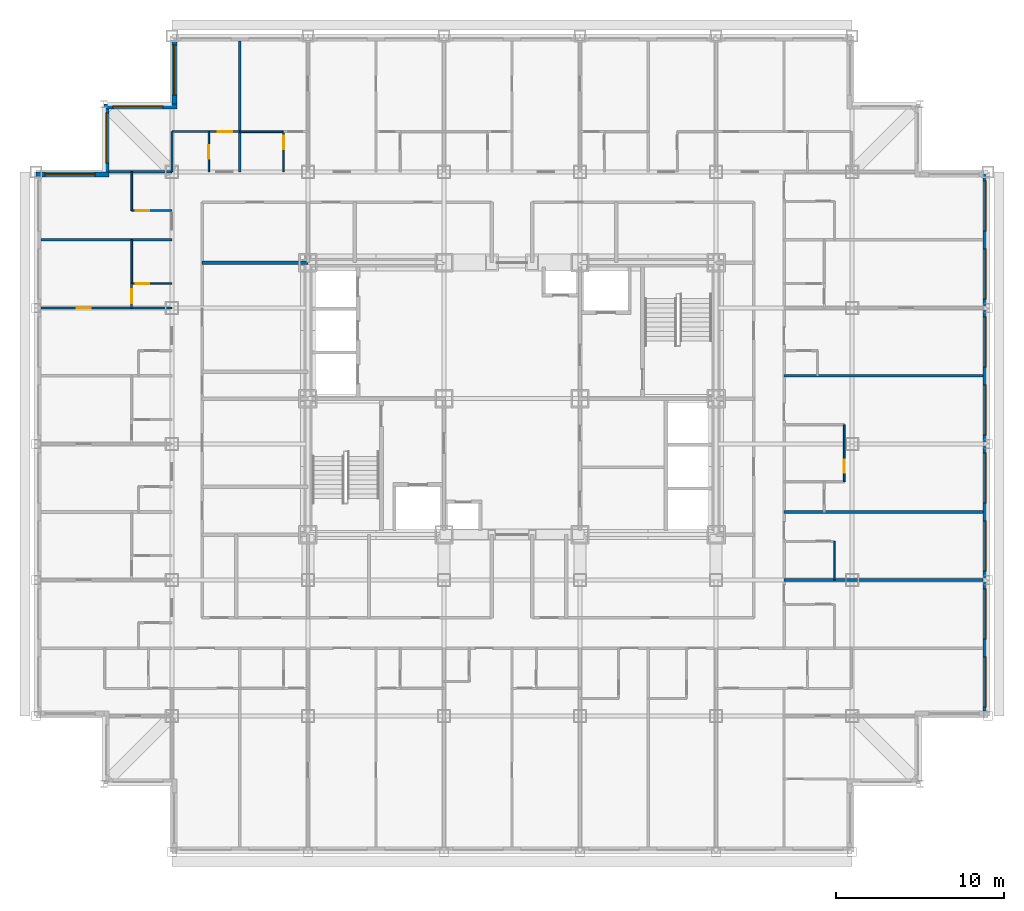
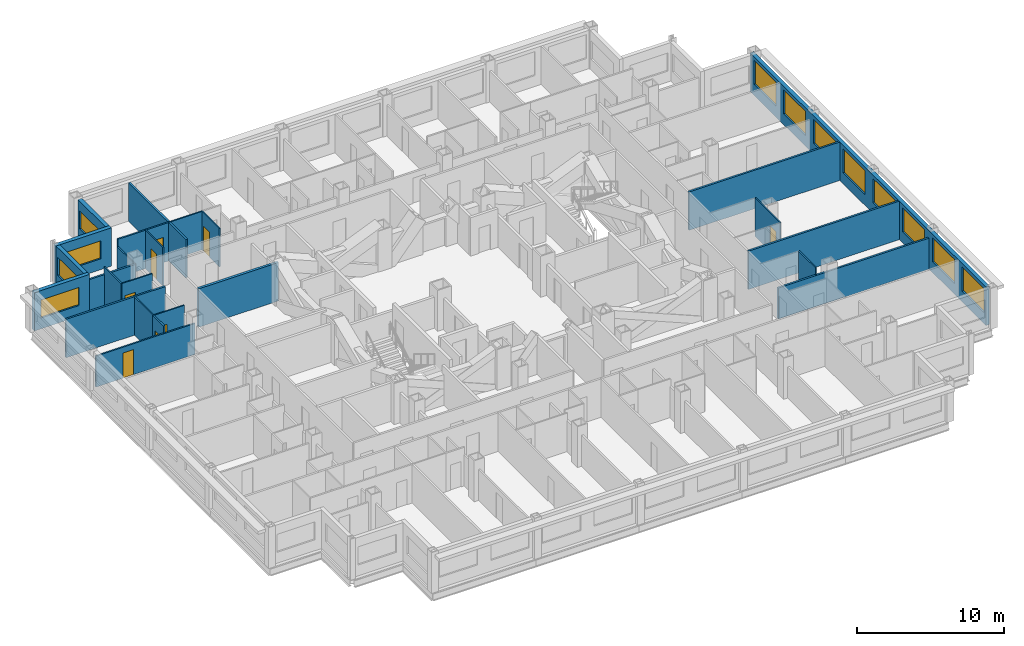
# One storey, part 9 of 13: 25 walls, 12 windows, 8 doors, 20 openings.
"""IFC4 building model written with IfcOpenShell, lengths in metres."""

from ifc_helpers import new_model, si_unit, direction, frame, frame_2d, origin, place, context, subcontext, project, spatial, rectangle, extrude, material, layer, layer_set, type_object, element, fill, save


model = new_model("IFC4")

# Units and contexts
model_context = context("Model", 3, precision=1e-05, world=origin(), true_north=direction((0.0, 1.0)))
body_context = subcontext(model_context, "Body", "Model", "MODEL_VIEW")
ifc_project = project(units=[si_unit("LENGTHUNIT", "METRE"), si_unit("AREAUNIT", "SQUARE_METRE"), si_unit("VOLUMEUNIT", "CUBIC_METRE"), si_unit("PLANEANGLEUNIT", "RADIAN"), si_unit("MASSUNIT", "GRAM", prefix="KILO")], contexts=[model_context])

# Site, building, storey
site_placement = place(None, origin())
site = spatial("IfcSite", under=ifc_project, at=site_placement, CompositionType="ELEMENT")
building_placement = place(site_placement, origin())
building = spatial("IfcBuilding", under=site, at=building_placement, Name="Kopane Lantern Tower", CompositionType="ELEMENT")
storey_placement = place(building_placement, frame((0.0, 0.0, 134.0)))
storey = spatial("IfcBuildingStorey", under=building, at=storey_placement, Name="L34", CompositionType="ELEMENT", Elevation=134.0)

# Wall, opening, door
ifc_material_1 = material(Name="Gypsum board on steel studs", Category="steel")
ifc_layer_1 = layer(ifc_material_1, 0.1201171875)
ifc_layer_set_1 = layer_set([ifc_layer_1], Name="APARTMENT INTERNAL WALL 120")
wall_type_1 = type_object("IfcWallType", Name="APARTMENT INTERNAL WALL 120", PredefinedType="PARTITIONING", material=ifc_layer_set_1)
wall_1_placement = place(storey_placement, frame((8.10009765625, 37.800048828125, 0.0), z_axis=(0.0, 0.0, 1.0), x_axis=(-1.0, 0.0, 0.0)))
wall_1 = element("IfcWall", 1, at=wall_1_placement, inside=storey, type_object=wall_type_1, Name="Apartment Internal Wall 120 L34", PredefinedType="PARTITIONING", context=body_context, shape_type="SweptSolid", body=[
    extrude(rectangle(XDim=7.800048828125, YDim=0.1201171875, at=frame_2d((3.89990234375, 0.0))), origin(), (0.0, 0.0, 1.0), 2.577880859375),
])
opening_1_placement = place(wall_1_placement, frame((4.824951171875, 0.0, 0.0)))
opening_1 = element("IfcOpeningElement", 2, at=opening_1_placement, cuts=wall_1, Name="Opening L34-054", PredefinedType="OPENING", context=body_context, shape_type="SweptSolid", body=[
    extrude(rectangle(XDim=0.85009765625, YDim=2.10009765625, at=frame_2d((0.425048828125, 1.050048828125))), frame((0.0, 0.070068359375, 0.0), z_axis=(0.0, -1.0, 0.0), x_axis=(1.0, 0.0, 0.0)), (0.0, 0.0, 1.0), 0.14013671875),
])
ifc_material_2 = material(Name="Timber door set", Category="wood")
door_type_1 = type_object("IfcDoorType", Name="DOOR D4 850x2100", OperationType="SINGLE_SWING_LEFT", PredefinedType="DOOR", material=ifc_material_2)
door_1_placement = place(opening_1_placement, origin())
door_1 = element("IfcDoor", 3, at=door_1_placement, inside=storey, type_object=door_type_1, Name="Door L34-054", OperationType="SINGLE_SWING_RIGHT", OverallHeight=2.10009765625, OverallWidth=0.85009765625, PredefinedType="DOOR", context=body_context, shape_type="SweptSolid", body=[
    extrude(rectangle(XDim=0.85009765625, YDim=2.10009765625, at=frame_2d((0.425048828125, 1.050048828125))), frame((0.0, 0.02490234375, 0.0), z_axis=(0.0, -1.0, 0.0), x_axis=(1.0, 0.0, 0.0)), (0.0, 0.0, 1.0), 0.050048828125),
])
fill(opening_1, door_1)

wall_2_placement = place(storey_placement, frame((8.10009765625, 48.300048828125, 0.0), z_axis=(0.0, 0.0, 1.0), x_axis=(1.0, 0.0, 0.0)))
wall_2 = element("IfcWall", 4, at=wall_2_placement, inside=storey, type_object=wall_type_1, Name="Apartment Internal Wall 120 L34", PredefinedType="PARTITIONING", context=body_context, shape_type="SweptSolid", body=[
    extrude(rectangle(XDim=4.0498046875, YDim=0.1201171875, at=frame_2d((2.02490234375, 0.0))), origin(), (0.0, 0.0, 1.0), 3.18994140625),
])
opening_2_placement = place(wall_2_placement, frame((2.72509765625, 0.0, 0.0)))
opening_2 = element("IfcOpeningElement", 5, at=opening_2_placement, cuts=wall_2, Name="Opening L34-086", PredefinedType="OPENING", context=body_context, shape_type="SweptSolid", body=[
    extrude(rectangle(XDim=0.85009765625, YDim=2.10009765625, at=frame_2d((0.425048828125, 1.050048828125))), frame((0.0, 0.070068359375, 0.0), z_axis=(0.0, -1.0, 0.0), x_axis=(1.0, 0.0, 0.0)), (0.0, 0.0, 1.0), 0.14013671875),
])
door_2_placement = place(opening_2_placement, origin())
door_2 = element("IfcDoor", 6, at=door_2_placement, inside=storey, type_object=door_type_1, Name="Door L34-086", OperationType="SINGLE_SWING_RIGHT", OverallHeight=2.10009765625, OverallWidth=0.85009765625, PredefinedType="DOOR", context=body_context, shape_type="SweptSolid", body=[
    extrude(rectangle(XDim=0.85009765625, YDim=2.10009765625, at=frame_2d((0.425048828125, 1.050048828125))), frame((0.0, 0.02490234375, 0.0), z_axis=(0.0, -1.0, 0.0), x_axis=(1.0, 0.0, 0.0)), (0.0, 0.0, 1.0), 0.050048828125),
])
fill(opening_2, door_2)

wall_3_placement = place(storey_placement, frame((5.699951171875, 37.800048828125, 0.0), z_axis=(0.0, 0.0, 1.0), x_axis=(0.0, 1.0, 0.0)))
wall_3 = element("IfcWall", 7, at=wall_3_placement, inside=storey, type_object=wall_type_1, Name="Apartment Internal Wall 120 L34", PredefinedType="PARTITIONING", context=body_context, shape_type="SweptSolid", body=[
    extrude(rectangle(XDim=1.4599609375, YDim=0.1201171875, at=frame_2d((0.72998046875, 0.0))), origin(), (0.0, 0.0, 1.0), 3.18994140625),
])
opening_3_placement = place(wall_3_placement, frame((0.27490234375, 0.0, 0.0)))
opening_3 = element("IfcOpeningElement", 8, at=opening_3_placement, cuts=wall_3, Name="Opening L34-096", PredefinedType="OPENING", context=body_context, shape_type="SweptSolid", body=[
    extrude(rectangle(XDim=0.85009765625, YDim=2.10009765625, at=frame_2d((0.425048828125, 1.050048828125))), frame((0.0, 0.070068359375, 0.0), z_axis=(0.0, -1.0, 0.0), x_axis=(1.0, 0.0, 0.0)), (0.0, 0.0, 1.0), 0.14013671875),
])
door_3_placement = place(opening_3_placement, origin())
door_3 = element("IfcDoor", 9, at=door_3_placement, inside=storey, type_object=door_type_1, Name="Door L34-096", OperationType="SINGLE_SWING_LEFT", OverallHeight=2.10009765625, OverallWidth=0.85009765625, PredefinedType="DOOR", context=body_context, shape_type="SweptSolid", body=[
    extrude(rectangle(XDim=0.85009765625, YDim=2.10009765625, at=frame_2d((0.425048828125, 1.050048828125))), frame((0.0, 0.02490234375, 0.0), z_axis=(0.0, -1.0, 0.0), x_axis=(1.0, 0.0, 0.0)), (0.0, 0.0, 1.0), 0.050048828125),
])
fill(opening_3, door_3)

# Wall
ifc_material_3 = material(Name="Moisture-resistant board on steel studs", Category="steel")
ifc_layer_2 = layer(ifc_material_3, 0.10009765625)
ifc_layer_set_2 = layer_set([ifc_layer_2], Name="BATHROOM WALL 100")
wall_type_2 = type_object("IfcWallType", Name="BATHROOM WALL 100", PredefinedType="PARTITIONING", material=ifc_layer_set_2)
wall_4_placement = place(storey_placement, frame((12.14990234375, 48.300048828125, 0.0), z_axis=(0.0, 0.0, 1.0), x_axis=(1.0, 0.0, 0.0)))
element("IfcWall", 10, at=wall_4_placement, inside=storey, type_object=wall_type_2, Name="Bathroom Wall 100 L34", PredefinedType="PARTITIONING", context=body_context, shape_type="SweptSolid", body=[
    extrude(rectangle(XDim=2.60009765625, YDim=0.10009765625, at=frame_2d((1.300048828125, 0.0))), origin(), (0.0, 0.0, 1.0), 3.18994140625),
])

# Wall, opening, door
wall_5_placement = place(storey_placement, frame((14.75, 45.89990234375, 0.0), z_axis=(0.0, 0.0, 1.0), x_axis=(0.0, 1.0, 0.0)))
wall_5 = element("IfcWall", 11, at=wall_5_placement, inside=storey, type_object=wall_type_2, Name="Bathroom Wall 100 L34", PredefinedType="PARTITIONING", context=body_context, shape_type="SweptSolid", body=[
    extrude(rectangle(XDim=2.400146484375, YDim=0.10009765625, at=frame_2d((1.2001953125, 0.0))), origin(), (0.0, 0.0, 1.0), 3.18994140625),
])
opening_4_placement = place(wall_5_placement, frame((1.35009765625, 0.0, 0.0)))
opening_4 = element("IfcOpeningElement", 12, at=opening_4_placement, cuts=wall_5, Name="Opening L34-032", PredefinedType="OPENING", context=body_context, shape_type="SweptSolid", body=[
    extrude(rectangle(XDim=0.800048828125, YDim=2.10009765625, at=frame_2d((0.39990234375, 1.050048828125))), frame((0.0, 0.06005859375, 0.0), z_axis=(0.0, -1.0, 0.0), x_axis=(1.0, 0.0, 0.0)), (0.0, 0.0, 1.0), 0.1201171875),
])
ifc_material_4 = material(Name="Timber door set", Category="wood")
door_type_2 = type_object("IfcDoorType", Name="DOOR D2 800x2100", OperationType="SINGLE_SWING_LEFT", PredefinedType="DOOR", material=ifc_material_4)
door_4_placement = place(opening_4_placement, origin())
door_4 = element("IfcDoor", 13, at=door_4_placement, inside=storey, type_object=door_type_2, Name="Door L34-032", OperationType="SINGLE_SWING_LEFT", OverallHeight=2.10009765625, OverallWidth=0.800048828125, PredefinedType="DOOR", context=body_context, shape_type="SweptSolid", body=[
    extrude(rectangle(XDim=0.800048828125, YDim=2.10009765625, at=frame_2d((0.39990234375, 1.050048828125))), frame((0.0, 0.02490234375, 0.0), z_axis=(0.0, -1.0, 0.0), x_axis=(1.0, 0.0, 0.0)), (0.0, 0.0, 1.0), 0.050048828125),
])
fill(opening_4, door_4)

# Wall
wall_6_placement = place(storey_placement, frame((5.699951171875, 39.25, 0.0), z_axis=(0.0, 0.0, 1.0), x_axis=(0.0, 1.0, 0.0)))
element("IfcWall", 14, at=wall_6_placement, inside=storey, type_object=wall_type_2, Name="Bathroom Wall 100 L34", PredefinedType="PARTITIONING", context=body_context, shape_type="SweptSolid", body=[
    extrude(rectangle(XDim=2.60009765625, YDim=0.10009765625, at=frame_2d((1.300048828125, 0.0))), origin(), (0.0, 0.0, 1.0), 3.18994140625),
])

# Wall, opening, door
wall_7_placement = place(storey_placement, frame((8.10009765625, 39.25, 0.0), z_axis=(0.0, 0.0, 1.0), x_axis=(-1.0, 0.0, 0.0)))
wall_7 = element("IfcWall", 15, at=wall_7_placement, inside=storey, type_object=wall_type_2, Name="Bathroom Wall 100 L34", PredefinedType="PARTITIONING", context=body_context, shape_type="SweptSolid", body=[
    extrude(rectangle(XDim=2.400146484375, YDim=0.10009765625, at=frame_2d((1.2001953125, 0.0))), origin(), (0.0, 0.0, 1.0), 3.18994140625),
])
opening_5_placement = place(wall_7_placement, frame((1.35009765625, 0.0, 0.0)))
opening_5 = element("IfcOpeningElement", 16, at=opening_5_placement, cuts=wall_7, Name="Opening L34-053", PredefinedType="OPENING", context=body_context, shape_type="SweptSolid", body=[
    extrude(rectangle(XDim=0.800048828125, YDim=2.10009765625, at=frame_2d((0.39990234375, 1.050048828125))), frame((0.0, 0.06005859375, 0.0), z_axis=(0.0, -1.0, 0.0), x_axis=(1.0, 0.0, 0.0)), (0.0, 0.0, 1.0), 0.1201171875),
])
door_5_placement = place(opening_5_placement, origin())
door_5 = element("IfcDoor", 17, at=door_5_placement, inside=storey, type_object=door_type_2, Name="Door L34-053", OperationType="SINGLE_SWING_RIGHT", OverallHeight=2.10009765625, OverallWidth=0.800048828125, PredefinedType="DOOR", context=body_context, shape_type="SweptSolid", body=[
    extrude(rectangle(XDim=0.800048828125, YDim=2.10009765625, at=frame_2d((0.39990234375, 1.050048828125))), frame((0.0, 0.02490234375, 0.0), z_axis=(0.0, -1.0, 0.0), x_axis=(1.0, 0.0, 0.0)), (0.0, 0.0, 1.0), 0.050048828125),
])
fill(opening_5, door_5)

# Wall
wall_8_placement = place(storey_placement, frame((5.699951171875, 43.60009765625, 0.0), z_axis=(0.0, 0.0, 1.0), x_axis=(0.0, 1.0, 0.0)))
element("IfcWall", 18, at=wall_8_placement, inside=storey, type_object=wall_type_2, Name="Bathroom Wall 100 L34", PredefinedType="PARTITIONING", context=body_context, shape_type="SweptSolid", body=[
    extrude(rectangle(XDim=2.2998046875, YDim=0.10009765625, at=frame_2d((1.14990234375, 0.0))), origin(), (0.0, 0.0, 1.0), 3.18994140625),
])

# Wall, opening, door
wall_9_placement = place(storey_placement, frame((8.10009765625, 43.60009765625, 0.0), z_axis=(0.0, 0.0, 1.0), x_axis=(-1.0, 0.0, 0.0)))
wall_9 = element("IfcWall", 19, at=wall_9_placement, inside=storey, type_object=wall_type_2, Name="Bathroom Wall 100 L34", PredefinedType="PARTITIONING", context=body_context, shape_type="SweptSolid", body=[
    extrude(rectangle(XDim=2.400146484375, YDim=0.10009765625, at=frame_2d((1.2001953125, 0.0))), origin(), (0.0, 0.0, 1.0), 3.18994140625),
])
opening_6_placement = place(wall_9_placement, frame((1.35009765625, 0.0, 0.0)))
opening_6 = element("IfcOpeningElement", 20, at=opening_6_placement, cuts=wall_9, Name="Opening L34-055", PredefinedType="OPENING", context=body_context, shape_type="SweptSolid", body=[
    extrude(rectangle(XDim=0.800048828125, YDim=2.10009765625, at=frame_2d((0.39990234375, 1.050048828125))), frame((0.0, 0.06005859375, 0.0), z_axis=(0.0, -1.0, 0.0), x_axis=(1.0, 0.0, 0.0)), (0.0, 0.0, 1.0), 0.1201171875),
])
door_6_placement = place(opening_6_placement, origin())
door_6 = element("IfcDoor", 21, at=door_6_placement, inside=storey, type_object=door_type_2, Name="Door L34-055", OperationType="SINGLE_SWING_LEFT", OverallHeight=2.10009765625, OverallWidth=0.800048828125, PredefinedType="DOOR", context=body_context, shape_type="SweptSolid", body=[
    extrude(rectangle(XDim=0.800048828125, YDim=2.10009765625, at=frame_2d((0.39990234375, 1.050048828125))), frame((0.0, 0.02490234375, 0.0), z_axis=(0.0, -1.0, 0.0), x_axis=(1.0, 0.0, 0.0)), (0.0, 0.0, 1.0), 0.050048828125),
])
fill(opening_6, door_6)

# Wall
wall_10_placement = place(storey_placement, frame((47.550048828125, 21.60009765625, 0.0), z_axis=(0.0, 0.0, 1.0), x_axis=(0.0, 1.0, 0.0)))
element("IfcWall", 22, at=wall_10_placement, inside=storey, type_object=wall_type_2, Name="Bathroom Wall 100 L34", PredefinedType="PARTITIONING", context=body_context, shape_type="SweptSolid", body=[
    extrude(rectangle(XDim=2.2998046875, YDim=0.10009765625, at=frame_2d((1.14990234375, 0.0))), origin(), (0.0, 0.0, 1.0), 3.18994140625),
])

# Wall, opening, door
wall_11_placement = place(storey_placement, frame((48.139892578125, 27.449951171875, 0.0), z_axis=(0.0, 0.0, 1.0), x_axis=(0.0, 1.0, 0.0)))
wall_11 = element("IfcWall", 23, at=wall_11_placement, inside=storey, type_object=wall_type_2, Name="Bathroom Wall 100 L34", PredefinedType="PARTITIONING", context=body_context, shape_type="SweptSolid", body=[
    extrude(rectangle(XDim=3.400146484375, YDim=0.10009765625, at=frame_2d((1.7001953125, 0.0))), origin(), (0.0, 0.0, 1.0), 3.18994140625),
])
opening_7_placement = place(wall_11_placement, frame((0.52490234375, 0.0, 0.0)))
opening_7 = element("IfcOpeningElement", 24, at=opening_7_placement, cuts=wall_11, Name="Opening L34-061", PredefinedType="OPENING", context=body_context, shape_type="SweptSolid", body=[
    extrude(rectangle(XDim=0.800048828125, YDim=2.10009765625, at=frame_2d((0.39990234375, 1.050048828125))), frame((0.0, 0.06005859375, 0.0), z_axis=(0.0, -1.0, 0.0), x_axis=(1.0, 0.0, 0.0)), (0.0, 0.0, 1.0), 0.1201171875),
])
door_7_placement = place(opening_7_placement, origin())
door_7 = element("IfcDoor", 25, at=door_7_placement, inside=storey, type_object=door_type_2, Name="Door L34-061", OperationType="SINGLE_SWING_LEFT", OverallHeight=2.10009765625, OverallWidth=0.800048828125, PredefinedType="DOOR", context=body_context, shape_type="SweptSolid", body=[
    extrude(rectangle(XDim=0.800048828125, YDim=2.10009765625, at=frame_2d((0.39990234375, 1.050048828125))), frame((0.0, 0.02490234375, 0.0), z_axis=(0.0, -1.0, 0.0), x_axis=(1.0, 0.0, 0.0)), (0.0, 0.0, 1.0), 0.050048828125),
])
fill(opening_7, door_7)

wall_12_placement = place(storey_placement, frame((10.300048828125, 45.89990234375, 0.0), z_axis=(0.0, 0.0, 1.0), x_axis=(0.0, 1.0, 0.0)))
wall_12 = element("IfcWall", 26, at=wall_12_placement, inside=storey, type_object=wall_type_2, Name="Bathroom Wall 100 L34", PredefinedType="PARTITIONING", context=body_context, shape_type="SweptSolid", body=[
    extrude(rectangle(XDim=2.400146484375, YDim=0.10009765625, at=frame_2d((1.2001953125, 0.0))), origin(), (0.0, 0.0, 1.0), 3.18994140625),
])
opening_8_placement = place(wall_12_placement, frame((0.800048828125, 0.0, 0.0)))
opening_8 = element("IfcOpeningElement", 27, at=opening_8_placement, cuts=wall_12, Name="Opening L34-084", PredefinedType="OPENING", context=body_context, shape_type="SweptSolid", body=[
    extrude(rectangle(XDim=0.800048828125, YDim=2.10009765625, at=frame_2d((0.39990234375, 1.050048828125))), frame((0.0, 0.06005859375, 0.0), z_axis=(0.0, -1.0, 0.0), x_axis=(1.0, 0.0, 0.0)), (0.0, 0.0, 1.0), 0.1201171875),
])
door_8_placement = place(opening_8_placement, origin())
door_8 = element("IfcDoor", 28, at=door_8_placement, inside=storey, type_object=door_type_2, Name="Door L34-084", OperationType="SINGLE_SWING_LEFT", OverallHeight=2.10009765625, OverallWidth=0.800048828125, PredefinedType="DOOR", context=body_context, shape_type="SweptSolid", body=[
    extrude(rectangle(XDim=0.800048828125, YDim=2.10009765625, at=frame_2d((0.39990234375, 1.050048828125))), frame((0.0, 0.02490234375, 0.0), z_axis=(0.0, -1.0, 0.0), x_axis=(1.0, 0.0, 0.0)), (0.0, 0.0, 1.0), 0.050048828125),
])
fill(opening_8, door_8)

# Walls
wall_13_placement = place(storey_placement, frame((8.10009765625, 45.89990234375, 0.0), z_axis=(0.0, 0.0, 1.0), x_axis=(0.0, 1.0, 0.0)))
element("IfcWall", 29, at=wall_13_placement, inside=storey, type_object=wall_type_2, Name="Bathroom Wall 100 L34", PredefinedType="PARTITIONING", context=body_context, shape_type="SweptSolid", body=[
    extrude(rectangle(XDim=2.400146484375, YDim=0.10009765625, at=frame_2d((1.2001953125, 0.0))), origin(), (0.0, 0.0, 1.0), 2.577880859375),
])
ifc_material_5 = material(Name="Gypsum board on steel studs", Category="steel")
ifc_layer_3 = layer(ifc_material_5, 0.14990234375)
ifc_layer_set_3 = layer_set([ifc_layer_3], Name="DEMISING WALL 150 EI 60")
wall_type_3 = type_object("IfcWallType", Name="DEMISING WALL 150 EI 60", PredefinedType="PARTITIONING", material=ifc_layer_set_3)
wall_14_placement = place(storey_placement, frame((8.10009765625, 41.85009765625, 0.0), z_axis=(0.0, 0.0, 1.0), x_axis=(-1.0, 0.0, 0.0)))
element("IfcWall", 30, at=wall_14_placement, inside=storey, type_object=wall_type_3, Name="Demising Wall 150 Ei 60 L34", PredefinedType="PARTITIONING", context=body_context, shape_type="SweptSolid", body=[
    extrude(rectangle(XDim=7.800048828125, YDim=0.14990234375, at=frame_2d((3.89990234375, 0.0))), origin(), (0.0, 0.0, 1.0), 3.18994140625),
])
wall_15_placement = place(storey_placement, frame((44.550048828125, 21.60009765625, 0.0), z_axis=(0.0, 0.0, 1.0), x_axis=(1.0, 0.0, 0.0)))
element("IfcWall", 31, at=wall_15_placement, inside=storey, type_object=wall_type_3, Name="Demising Wall 150 Ei 60 L34", PredefinedType="PARTITIONING", context=body_context, shape_type="SweptSolid", body=[
    extrude(rectangle(XDim=11.849853515625, YDim=0.14990234375, at=frame_2d((5.9248046875, 0.0))), origin(), (0.0, 0.0, 1.0), 2.577880859375),
])
for number, where, z_axis, x_axis, name in (
    (32, (44.550048828125, 25.64990234375, 0.0), (0.0, 0.0, 1.0), (1.0, 0.0, 0.0), "Demising Wall 150 Ei 60 L34"),
    (33, (44.550048828125, 33.75, 0.0), (0.0, 0.0, 1.0), (1.0, 0.0, 0.0), "Demising Wall 150 Ei 60 L34"),
):
    element("IfcWall", number, at=place(storey_placement, frame(where, z_axis=z_axis, x_axis=x_axis)), inside=storey, type_object=wall_type_3, Name=name, PredefinedType="PARTITIONING", context=body_context, shape_type="SweptSolid", body=[
        extrude(rectangle(XDim=11.849853515625, YDim=0.14990234375, at=frame_2d((5.9248046875, 0.0))), origin(), (0.0, 0.0, 1.0), 3.18994140625),
    ])
wall_16_placement = place(storey_placement, frame((4.35009765625, 45.89990234375, 0.0), z_axis=(0.0, 0.0, 1.0), x_axis=(1.0, 0.0, 0.0)))
element("IfcWall", 34, at=wall_16_placement, inside=storey, type_object=wall_type_3, Name="Demising Wall 150 Ei 60 L34", PredefinedType="PARTITIONING", context=body_context, shape_type="SweptSolid", body=[
    extrude(rectangle(XDim=3.75, YDim=0.14990234375, at=frame_2d((1.875, 0.0))), origin(), (0.0, 0.0, 1.0), 2.577880859375),
])
wall_17_placement = place(storey_placement, frame((12.14990234375, 45.89990234375, 0.0), z_axis=(0.0, 0.0, 1.0), x_axis=(0.0, 1.0, 0.0)))
element("IfcWall", 35, at=wall_17_placement, inside=storey, type_object=wall_type_3, Name="Demising Wall 150 Ei 60 L34", PredefinedType="PARTITIONING", context=body_context, shape_type="SweptSolid", body=[
    extrude(rectangle(XDim=7.800048828125, YDim=0.14990234375, at=frame_2d((3.89990234375, 0.0))), origin(), (0.0, 0.0, 1.0), 3.18994140625),
])

# Wall, openings, windows
ifc_material_6 = material(Name="Terracotta rainscreen on light steel framing", Category="masonry")
ifc_layer_4 = layer(ifc_material_6, 0.300048828125)
ifc_layer_set_4 = layer_set([ifc_layer_4], Name="EXTERNAL WALL EW1 300 TERRACOTTA")
wall_type_4 = type_object("IfcWallType", Name="EXTERNAL WALL EW1 300 TERRACOTTA", PredefinedType="SOLIDWALL", material=ifc_layer_set_4)
wall_18_placement = place(storey_placement, frame((56.550048828125, 13.800048828125, 0.0), z_axis=(0.0, 0.0, 1.0), x_axis=(0.0, 1.0, 0.0)))
wall_18 = element("IfcWall", 36, at=wall_18_placement, inside=storey, type_object=wall_type_4, Name="External wall E L34", PredefinedType="SOLIDWALL", context=body_context, shape_type="SweptSolid", body=[
    extrude(rectangle(XDim=32.099853515625, YDim=0.300048828125, at=frame_2d((16.0498046875, 0.0))), origin(), (0.0, 0.0, 1.0), 3.18994140625),
])
opening_9_placement = place(wall_18_placement, frame((0.22509765625, 0.0, 0.89990234375)))
opening_9 = element("IfcOpeningElement", 37, at=opening_9_placement, cuts=wall_18, Name="Opening WR300200", PredefinedType="OPENING", context=body_context, shape_type="SweptSolid", body=[
    extrude(rectangle(XDim=3.0, YDim=2.0, at=frame_2d((1.5, 1.0))), frame((0.0, 0.159912109375, 0.0), z_axis=(0.0, -1.0, 0.0), x_axis=(1.0, 0.0, 0.0)), (0.0, 0.0, 1.0), 0.320068359375),
])
opening_10_placement = place(wall_18_placement, frame((4.27490234375, 0.0, 0.89990234375)))
opening_10 = element("IfcOpeningElement", 38, at=opening_10_placement, cuts=wall_18, Name="Opening WR300200", PredefinedType="OPENING", context=body_context, shape_type="SweptSolid", body=[
    extrude(rectangle(XDim=3.0, YDim=2.0, at=frame_2d((1.5, 1.0))), frame((0.0, 0.159912109375, 0.0), z_axis=(0.0, -1.0, 0.0), x_axis=(1.0, 0.0, 0.0)), (0.0, 0.0, 1.0), 0.320068359375),
])
opening_11_placement = place(wall_18_placement, frame((8.324951171875, 0.0, 0.89990234375)))
opening_11 = element("IfcOpeningElement", 39, at=opening_11_placement, cuts=wall_18, Name="Opening WR300200", PredefinedType="OPENING", context=body_context, shape_type="SweptSolid", body=[
    extrude(rectangle(XDim=3.0, YDim=2.0, at=frame_2d((1.5, 1.0))), frame((0.0, 0.159912109375, 0.0), z_axis=(0.0, -1.0, 0.0), x_axis=(1.0, 0.0, 0.0)), (0.0, 0.0, 1.0), 0.320068359375),
])
opening_12_placement = place(wall_18_placement, frame((12.375, 0.0, 0.89990234375)))
opening_12 = element("IfcOpeningElement", 40, at=opening_12_placement, cuts=wall_18, Name="Opening WR300200", PredefinedType="OPENING", context=body_context, shape_type="SweptSolid", body=[
    extrude(rectangle(XDim=3.0, YDim=2.0, at=frame_2d((1.5, 1.0))), frame((0.0, 0.159912109375, 0.0), z_axis=(0.0, -1.0, 0.0), x_axis=(1.0, 0.0, 0.0)), (0.0, 0.0, 1.0), 0.320068359375),
])
opening_13_placement = place(wall_18_placement, frame((16.425048828125, 0.0, 0.89990234375)))
opening_13 = element("IfcOpeningElement", 41, at=opening_13_placement, cuts=wall_18, Name="Opening WR300200", PredefinedType="OPENING", context=body_context, shape_type="SweptSolid", body=[
    extrude(rectangle(XDim=3.0, YDim=2.0, at=frame_2d((1.5, 1.0))), frame((0.0, 0.159912109375, 0.0), z_axis=(0.0, -1.0, 0.0), x_axis=(1.0, 0.0, 0.0)), (0.0, 0.0, 1.0), 0.320068359375),
])
opening_14_placement = place(wall_18_placement, frame((20.47509765625, 0.0, 0.89990234375)))
opening_14 = element("IfcOpeningElement", 42, at=opening_14_placement, cuts=wall_18, Name="Opening WR300200", PredefinedType="OPENING", context=body_context, shape_type="SweptSolid", body=[
    extrude(rectangle(XDim=3.0, YDim=2.0, at=frame_2d((1.5, 1.0))), frame((0.0, 0.159912109375, 0.0), z_axis=(0.0, -1.0, 0.0), x_axis=(1.0, 0.0, 0.0)), (0.0, 0.0, 1.0), 0.320068359375),
])
opening_15_placement = place(wall_18_placement, frame((24.52490234375, 0.0, 0.89990234375)))
opening_15 = element("IfcOpeningElement", 43, at=opening_15_placement, cuts=wall_18, Name="Opening WR300200", PredefinedType="OPENING", context=body_context, shape_type="SweptSolid", body=[
    extrude(rectangle(XDim=3.0, YDim=2.0, at=frame_2d((1.5, 1.0))), frame((0.0, 0.159912109375, 0.0), z_axis=(0.0, -1.0, 0.0), x_axis=(1.0, 0.0, 0.0)), (0.0, 0.0, 1.0), 0.320068359375),
])
opening_16_placement = place(wall_18_placement, frame((28.574951171875, 0.0, 0.89990234375)))
opening_16 = element("IfcOpeningElement", 44, at=opening_16_placement, cuts=wall_18, Name="Opening WR300200", PredefinedType="OPENING", context=body_context, shape_type="SweptSolid", body=[
    extrude(rectangle(XDim=3.0, YDim=2.0, at=frame_2d((1.5, 1.0))), frame((0.0, 0.159912109375, 0.0), z_axis=(0.0, -1.0, 0.0), x_axis=(1.0, 0.0, 0.0)), (0.0, 0.0, 1.0), 0.320068359375),
])
ifc_material_7 = material(Name="Aluminium and clear glass", Category="aluminium")
window_type_1 = type_object("IfcWindowType", Name="RIBBON WINDOW WR300200 3000x2000", PartitioningType="SINGLE_PANEL", PredefinedType="WINDOW", material=ifc_material_7)
window_1_placement = place(opening_9_placement, origin())
window_1 = element("IfcWindow", 45, at=window_1_placement, inside=storey, type_object=window_type_1, Name="Window E L34", OverallHeight=2.0, OverallWidth=3.0, PartitioningType="SINGLE_PANEL", PredefinedType="WINDOW", context=body_context, shape_type="SweptSolid", body=[
    extrude(rectangle(XDim=3.0, YDim=2.0, at=frame_2d((1.5, 1.0))), frame((0.0, 0.030029296875, 0.0), z_axis=(0.0, -1.0, 0.0), x_axis=(1.0, 0.0, 0.0)), (0.0, 0.0, 1.0), 0.06005859375),
])
fill(opening_9, window_1)
window_2_placement = place(opening_10_placement, origin())
window_2 = element("IfcWindow", 46, at=window_2_placement, inside=storey, type_object=window_type_1, Name="Window E L34", OverallHeight=2.0, OverallWidth=3.0, PartitioningType="SINGLE_PANEL", PredefinedType="WINDOW", context=body_context, shape_type="SweptSolid", body=[
    extrude(rectangle(XDim=3.0, YDim=2.0, at=frame_2d((1.5, 1.0))), frame((0.0, 0.030029296875, 0.0), z_axis=(0.0, -1.0, 0.0), x_axis=(1.0, 0.0, 0.0)), (0.0, 0.0, 1.0), 0.06005859375),
])
fill(opening_10, window_2)
window_3_placement = place(opening_11_placement, origin())
window_3 = element("IfcWindow", 47, at=window_3_placement, inside=storey, type_object=window_type_1, Name="Window E L34", OverallHeight=2.0, OverallWidth=3.0, PartitioningType="SINGLE_PANEL", PredefinedType="WINDOW", context=body_context, shape_type="SweptSolid", body=[
    extrude(rectangle(XDim=3.0, YDim=2.0, at=frame_2d((1.5, 1.0))), frame((0.0, 0.030029296875, 0.0), z_axis=(0.0, -1.0, 0.0), x_axis=(1.0, 0.0, 0.0)), (0.0, 0.0, 1.0), 0.06005859375),
])
fill(opening_11, window_3)
window_4_placement = place(opening_12_placement, origin())
window_4 = element("IfcWindow", 48, at=window_4_placement, inside=storey, type_object=window_type_1, Name="Window E L34", OverallHeight=2.0, OverallWidth=3.0, PartitioningType="SINGLE_PANEL", PredefinedType="WINDOW", context=body_context, shape_type="SweptSolid", body=[
    extrude(rectangle(XDim=3.0, YDim=2.0, at=frame_2d((1.5, 1.0))), frame((0.0, 0.030029296875, 0.0), z_axis=(0.0, -1.0, 0.0), x_axis=(1.0, 0.0, 0.0)), (0.0, 0.0, 1.0), 0.06005859375),
])
fill(opening_12, window_4)
window_5_placement = place(opening_13_placement, origin())
window_5 = element("IfcWindow", 49, at=window_5_placement, inside=storey, type_object=window_type_1, Name="Window E L34", OverallHeight=2.0, OverallWidth=3.0, PartitioningType="SINGLE_PANEL", PredefinedType="WINDOW", context=body_context, shape_type="SweptSolid", body=[
    extrude(rectangle(XDim=3.0, YDim=2.0, at=frame_2d((1.5, 1.0))), frame((0.0, 0.030029296875, 0.0), z_axis=(0.0, -1.0, 0.0), x_axis=(1.0, 0.0, 0.0)), (0.0, 0.0, 1.0), 0.06005859375),
])
fill(opening_13, window_5)
window_6_placement = place(opening_14_placement, origin())
window_6 = element("IfcWindow", 50, at=window_6_placement, inside=storey, type_object=window_type_1, Name="Window E L34", OverallHeight=2.0, OverallWidth=3.0, PartitioningType="SINGLE_PANEL", PredefinedType="WINDOW", context=body_context, shape_type="SweptSolid", body=[
    extrude(rectangle(XDim=3.0, YDim=2.0, at=frame_2d((1.5, 1.0))), frame((0.0, 0.030029296875, 0.0), z_axis=(0.0, -1.0, 0.0), x_axis=(1.0, 0.0, 0.0)), (0.0, 0.0, 1.0), 0.06005859375),
])
fill(opening_14, window_6)
window_7_placement = place(opening_15_placement, origin())
window_7 = element("IfcWindow", 51, at=window_7_placement, inside=storey, type_object=window_type_1, Name="Window E L34", OverallHeight=2.0, OverallWidth=3.0, PartitioningType="SINGLE_PANEL", PredefinedType="WINDOW", context=body_context, shape_type="SweptSolid", body=[
    extrude(rectangle(XDim=3.0, YDim=2.0, at=frame_2d((1.5, 1.0))), frame((0.0, 0.030029296875, 0.0), z_axis=(0.0, -1.0, 0.0), x_axis=(1.0, 0.0, 0.0)), (0.0, 0.0, 1.0), 0.06005859375),
])
fill(opening_15, window_7)
window_8_placement = place(opening_16_placement, origin())
window_8 = element("IfcWindow", 52, at=window_8_placement, inside=storey, type_object=window_type_1, Name="Window E L34", OverallHeight=2.0, OverallWidth=3.0, PartitioningType="SINGLE_PANEL", PredefinedType="WINDOW", context=body_context, shape_type="SweptSolid", body=[
    extrude(rectangle(XDim=3.0, YDim=2.0, at=frame_2d((1.5, 1.0))), frame((0.0, 0.030029296875, 0.0), z_axis=(0.0, -1.0, 0.0), x_axis=(1.0, 0.0, 0.0)), (0.0, 0.0, 1.0), 0.06005859375),
])
fill(opening_16, window_8)

# Wall, opening, window
wall_19_placement = place(storey_placement, frame((8.25, 53.699951171875, 0.0), z_axis=(0.0, 0.0, 1.0), x_axis=(0.0, -1.0, 0.0)))
wall_19 = element("IfcWall", 53, at=wall_19_placement, inside=storey, type_object=wall_type_4, Name="External wall W L34", PredefinedType="SOLIDWALL", context=body_context, shape_type="SweptSolid", body=[
    extrude(rectangle(XDim=3.75, YDim=0.300048828125, at=frame_2d((1.875, 0.0))), origin(), (0.0, 0.0, 1.0), 3.18994140625),
])
opening_17_placement = place(wall_19_placement, frame((0.22509765625, 0.0, 0.89990234375)))
opening_17 = element("IfcOpeningElement", 54, at=opening_17_placement, cuts=wall_19, Name="Opening WR300150", PredefinedType="OPENING", context=body_context, shape_type="SweptSolid", body=[
    extrude(rectangle(XDim=3.0, YDim=1.5, at=frame_2d((1.5, 0.75))), frame((0.0, 0.159912109375, 0.0), z_axis=(0.0, -1.0, 0.0), x_axis=(1.0, 0.0, 0.0)), (0.0, 0.0, 1.0), 0.320068359375),
])
ifc_material_8 = material(Name="Aluminium and clear glass", Category="aluminium")
window_type_2 = type_object("IfcWindowType", Name="RIBBON WINDOW WR300150 3000x1500", PartitioningType="SINGLE_PANEL", PredefinedType="WINDOW", material=ifc_material_8)
window_9_placement = place(opening_17_placement, origin())
window_9 = element("IfcWindow", 55, at=window_9_placement, inside=storey, type_object=window_type_2, Name="Window W L34", OverallHeight=1.5, OverallWidth=3.0, PartitioningType="SINGLE_PANEL", PredefinedType="WINDOW", context=body_context, shape_type="SweptSolid", body=[
    extrude(rectangle(XDim=3.0, YDim=1.5, at=frame_2d((1.5, 0.75))), frame((0.0, 0.030029296875, 0.0), z_axis=(0.0, -1.0, 0.0), x_axis=(1.0, 0.0, 0.0)), (0.0, 0.0, 1.0), 0.06005859375),
])
fill(opening_17, window_9)

wall_20_placement = place(storey_placement, frame((8.39990234375, 49.800048828125, 0.0), z_axis=(0.0, 0.0, 1.0), x_axis=(-1.0, 0.0, 0.0)))
wall_20 = element("IfcWall", 56, at=wall_20_placement, inside=storey, type_object=wall_type_4, Name="External wall N L34", PredefinedType="SOLIDWALL", context=body_context, shape_type="SweptSolid", body=[
    extrude(rectangle(XDim=4.349853515625, YDim=0.300048828125, at=frame_2d((2.1748046875, 0.0))), origin(), (0.0, 0.0, 1.0), 3.18994140625),
])
opening_18_placement = place(wall_20_placement, frame((0.824951171875, 0.0, 0.89990234375)))
opening_18 = element("IfcOpeningElement", 57, at=opening_18_placement, cuts=wall_20, Name="Opening WR300150", PredefinedType="OPENING", context=body_context, shape_type="SweptSolid", body=[
    extrude(rectangle(XDim=3.0, YDim=1.5, at=frame_2d((1.5, 0.75))), frame((0.0, 0.159912109375, 0.0), z_axis=(0.0, -1.0, 0.0), x_axis=(1.0, 0.0, 0.0)), (0.0, 0.0, 1.0), 0.320068359375),
])
window_10_placement = place(opening_18_placement, origin())
window_10 = element("IfcWindow", 58, at=window_10_placement, inside=storey, type_object=window_type_2, Name="Window N L34", OverallHeight=1.5, OverallWidth=3.0, PartitioningType="SINGLE_PANEL", PredefinedType="WINDOW", context=body_context, shape_type="SweptSolid", body=[
    extrude(rectangle(XDim=3.0, YDim=1.5, at=frame_2d((1.5, 0.75))), frame((0.0, 0.030029296875, 0.0), z_axis=(0.0, -1.0, 0.0), x_axis=(1.0, 0.0, 0.0)), (0.0, 0.0, 1.0), 0.06005859375),
])
fill(opening_18, window_10)

wall_21_placement = place(storey_placement, frame((4.199951171875, 49.64990234375, 0.0), z_axis=(0.0, 0.0, 1.0), x_axis=(0.0, -1.0, 0.0)))
wall_21 = element("IfcWall", 59, at=wall_21_placement, inside=storey, type_object=wall_type_4, Name="External wall W L34", PredefinedType="SOLIDWALL", context=body_context, shape_type="SweptSolid", body=[
    extrude(rectangle(XDim=3.75, YDim=0.300048828125, at=frame_2d((1.875, 0.0))), origin(), (0.0, 0.0, 1.0), 3.18994140625),
])
opening_19_placement = place(wall_21_placement, frame((0.22509765625, 0.0, 0.89990234375)))
opening_19 = element("IfcOpeningElement", 60, at=opening_19_placement, cuts=wall_21, Name="Opening WR300150", PredefinedType="OPENING", context=body_context, shape_type="SweptSolid", body=[
    extrude(rectangle(XDim=3.0, YDim=1.5, at=frame_2d((1.5, 0.75))), frame((0.0, 0.159912109375, 0.0), z_axis=(0.0, -1.0, 0.0), x_axis=(1.0, 0.0, 0.0)), (0.0, 0.0, 1.0), 0.320068359375),
])
window_11_placement = place(opening_19_placement, origin())
window_11 = element("IfcWindow", 61, at=window_11_placement, inside=storey, type_object=window_type_2, Name="Window W L34", OverallHeight=1.5, OverallWidth=3.0, PartitioningType="SINGLE_PANEL", PredefinedType="WINDOW", context=body_context, shape_type="SweptSolid", body=[
    extrude(rectangle(XDim=3.0, YDim=1.5, at=frame_2d((1.5, 0.75))), frame((0.0, 0.030029296875, 0.0), z_axis=(0.0, -1.0, 0.0), x_axis=(1.0, 0.0, 0.0)), (0.0, 0.0, 1.0), 0.06005859375),
])
fill(opening_19, window_11)

wall_22_placement = place(storey_placement, frame((4.35009765625, 45.75, 0.0), z_axis=(0.0, 0.0, 1.0), x_axis=(-1.0, 0.0, 0.0)))
wall_22 = element("IfcWall", 62, at=wall_22_placement, inside=storey, type_object=wall_type_4, Name="External wall N L34", PredefinedType="SOLIDWALL", context=body_context, shape_type="SweptSolid", body=[
    extrude(rectangle(XDim=4.35009765625, YDim=0.300048828125, at=frame_2d((2.175048828125, 0.0))), origin(), (0.0, 0.0, 1.0), 3.18994140625),
])
opening_20_placement = place(wall_22_placement, frame((0.824951171875, 0.0, 0.89990234375)))
opening_20 = element("IfcOpeningElement", 63, at=opening_20_placement, cuts=wall_22, Name="Opening WR300150", PredefinedType="OPENING", context=body_context, shape_type="SweptSolid", body=[
    extrude(rectangle(XDim=3.0, YDim=1.5, at=frame_2d((1.5, 0.75))), frame((0.0, 0.159912109375, 0.0), z_axis=(0.0, -1.0, 0.0), x_axis=(1.0, 0.0, 0.0)), (0.0, 0.0, 1.0), 0.320068359375),
])
window_12_placement = place(opening_20_placement, origin())
window_12 = element("IfcWindow", 64, at=window_12_placement, inside=storey, type_object=window_type_2, Name="Window N L34", OverallHeight=1.5, OverallWidth=3.0, PartitioningType="SINGLE_PANEL", PredefinedType="WINDOW", context=body_context, shape_type="SweptSolid", body=[
    extrude(rectangle(XDim=3.0, YDim=1.5, at=frame_2d((1.5, 0.75))), frame((0.0, 0.030029296875, 0.0), z_axis=(0.0, -1.0, 0.0), x_axis=(1.0, 0.0, 0.0)), (0.0, 0.0, 1.0), 0.06005859375),
])
fill(opening_20, window_12)

# Wall
ifc_material_9 = material(Name="Concrete masonry", Category="masonry")
ifc_layer_5 = layer(ifc_material_9, 0.199951171875)
ifc_layer_set_5 = layer_set([ifc_layer_5], Name="PLANT ROOM WALL 200 EI 120")
wall_type_5 = type_object("IfcWallType", Name="PLANT ROOM WALL 200 EI 120", PredefinedType="SOLIDWALL", material=ifc_layer_set_5)
wall_23_placement = place(storey_placement, frame((9.89990234375, 40.5, 0.0), z_axis=(0.0, 0.0, 1.0), x_axis=(1.0, 0.0, 0.0)))
element("IfcWall", 65, at=wall_23_placement, inside=storey, type_object=wall_type_5, Name="Plant Room Wall 200 Ei 120 L34", PredefinedType="SOLIDWALL", context=body_context, shape_type="SweptSolid", body=[
    extrude(rectangle(XDim=6.300048828125, YDim=0.199951171875, at=frame_2d((3.14990234375, 0.0))), origin(), (0.0, 0.0, 1.0), 3.18994140625),
])

save(model, "model.ifc")
